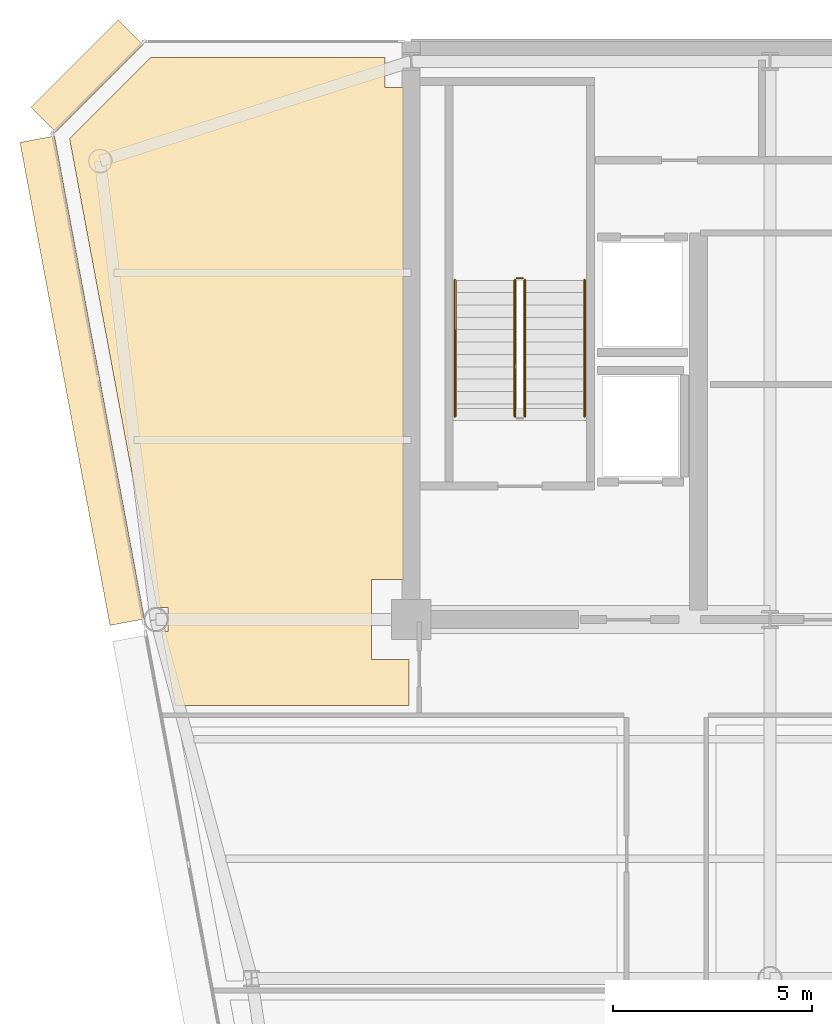
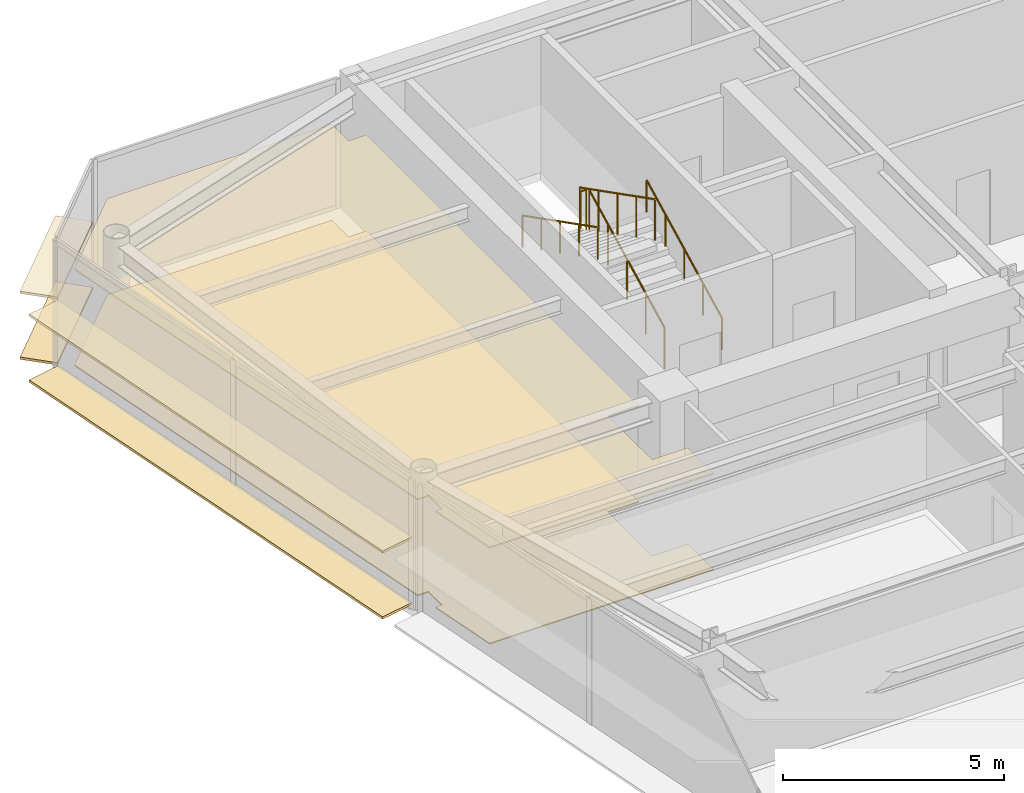
# One storey, part 17 of 19: 6 coverings, 5 railings.
"""IFC4 building model written with IfcOpenShell, lengths in metres."""

import ifcopenshell
import ifcopenshell.guid

model = None  # the IFC model being written
_history = None  # IfcOwnerHistory: only IFC2X3 demands one
_inside = {}  # id of a spatial element -> (the spatial element, [elements in it])
_under = {}  # id of a project, library or spatial element -> (it, [spatial elements below it])
_declared = {}  # id of a project -> (the project, [libraries it declares])
_typed = {}  # id of a type object -> (the type object, [elements of that type])
_made_of = {}  # id of a material, layer set ... -> (it, [elements and type objects made of it])


def new_model(schema):
    """Start an empty IFC model of exactly this schema.

    Asked for "IFC4X3", IfcOpenShell would pick the latest addendum, in which some entities
    have other attributes; the version numbers below select the first issue.
    IFC2X3 requires an IfcOwnerHistory on every rooted entity: one is made here for all.
    """
    global model, _history
    if schema == "IFC4X3":
        model = ifcopenshell.file(schema_version=(4, 3, 0, 0))
    else:
        model = ifcopenshell.file(schema=schema)
    _inside.clear()
    _under.clear()
    _declared.clear()
    _typed.clear()
    _made_of.clear()
    _history = None
    if model.schema == "IFC2X3":
        org = make("IfcOrganization", Name="unknown")
        user = make(
            "IfcPersonAndOrganization",
            ThePerson=make("IfcPerson", FamilyName="unknown"),
            TheOrganization=org,
        )
        app = make(
            "IfcApplication",
            ApplicationDeveloper=org,
            Version="unknown",
            ApplicationFullName="unknown",
            ApplicationIdentifier="unknown",
        )
        _history = make(
            "IfcOwnerHistory",
            OwningUser=user,
            OwningApplication=app,
            ChangeAction="ADDED",
            CreationDate=0,
        )
    return model


def make(cls, **values):
    """One entity of the class cls with the attributes given. An attribute that is None is left unset."""
    return model.create_entity(
        cls, **{name: value for name, value in values.items() if value is not None}
    )


def rooted(cls, **values):
    """An entity with a GlobalId (a new one), such as an element, a storey or a relation."""
    return make(cls, GlobalId=ifcopenshell.guid.new(), OwnerHistory=_history, **values)


def si_unit(unit_type, name, prefix=None):
    """IfcSIUnit, for example si_unit("LENGTHUNIT", "METRE", prefix="MILLI")."""
    return make("IfcSIUnit", UnitType=unit_type, Prefix=prefix, Name=name)


def assignment(units):
    """IfcUnitAssignment: the units of a project."""
    return None if units is None else make("IfcUnitAssignment", Units=units)


def point(xyz):
    """IfcCartesianPoint."""
    return None if xyz is None else make("IfcCartesianPoint", Coordinates=xyz)


def direction(xyz):
    """IfcDirection."""
    return None if xyz is None else make("IfcDirection", DirectionRatios=xyz)


def frame(location, z_axis=None, x_axis=None):
    """IfcAxis2Placement3D, a coordinate frame: its origin and axes. An axis left out is left unset."""
    return make(
        "IfcAxis2Placement3D",
        Location=point(location),
        Axis=direction(z_axis),
        RefDirection=direction(x_axis),
    )


def frame_2d(location, x_axis=None):
    """IfcAxis2Placement2D, a coordinate frame in the plane: its origin and x axis."""
    return make(
        "IfcAxis2Placement2D", Location=point(location), RefDirection=direction(x_axis)
    )


def origin():
    """The frame at (0, 0, 0) with its axes left unset."""
    return frame((0.0, 0.0, 0.0))


def origin_2d():
    """The frame at (0, 0) in the plane with its x axis left unset."""
    return frame_2d((0.0, 0.0))


def place(relative_to, where):
    """IfcLocalPlacement: puts the frame where relative to a parent placement (None: the world)."""
    return make(
        "IfcLocalPlacement", PlacementRelTo=relative_to, RelativePlacement=where
    )


def context(
    kind, dimensions, precision=None, world=None, true_north=None, identifier=None
):
    """IfcGeometricRepresentationContext, for example the 3D "Model" context."""
    return make(
        "IfcGeometricRepresentationContext",
        ContextIdentifier=identifier,
        ContextType=kind,
        CoordinateSpaceDimension=dimensions,
        Precision=precision,
        WorldCoordinateSystem=world,
        TrueNorth=true_north,
    )


def subcontext(parent, identifier, kind, view, scale=None):
    """IfcGeometricRepresentationSubContext, for example "Body" below "Model"."""
    return make(
        "IfcGeometricRepresentationSubContext",
        ContextIdentifier=identifier,
        ContextType=kind,
        ParentContext=parent,
        TargetScale=scale,
        TargetView=view,
    )


def project(units=None, contexts=None):
    """IfcProject with its units and contexts."""
    return rooted(
        "IfcProject",
        Name="project",
        RepresentationContexts=contexts,
        UnitsInContext=assignment(units),
    )


def spatial(cls, under=None, at=None, **own):
    """A site, building, storey or space (cls), placed at a placement, below another one or the project."""
    s = rooted(cls, ObjectPlacement=at, **own)
    if under is not None:
        _under.setdefault(under.id(), (under, []))[1].append(s)
    return s


def polyline(points):
    """IfcPolyline through the points."""
    return make("IfcPolyline", Points=[point(p) for p in points])


def profile(cls, at=None, kind="AREA", **sizes):
    """A parametric profile (cls). Its sizes go by their IFC names, for example OverallWidth=200.0."""
    return make(cls, ProfileType=kind, Position=at, **sizes)


def rectangle(**sizes):
    """IfcRectangleProfileDef."""
    return profile("IfcRectangleProfileDef", **sizes)


def circle(**sizes):
    """IfcCircleProfileDef."""
    return profile("IfcCircleProfileDef", **sizes)


def outline(outer, holes=None, kind="AREA"):
    """IfcArbitraryClosedProfileDef: a profile drawn as a closed curve; with holes, ...WithVoids."""
    if holes is None:
        return make("IfcArbitraryClosedProfileDef", ProfileType=kind, OuterCurve=outer)
    return make(
        "IfcArbitraryProfileDefWithVoids",
        ProfileType=kind,
        OuterCurve=outer,
        InnerCurves=holes,
    )


def extrude(swept, where, along, depth):
    """IfcExtrudedAreaSolid: the profile swept, set in the frame where, extruded along a direction by depth."""
    return make(
        "IfcExtrudedAreaSolid",
        SweptArea=swept,
        Position=where,
        ExtrudedDirection=direction(along),
        Depth=depth,
    )


def shape(context_of_items, identifier, shape_type, items):
    """IfcShapeRepresentation: the items that make up one representation, for example the "Body"."""
    return make(
        "IfcShapeRepresentation",
        ContextOfItems=context_of_items,
        RepresentationIdentifier=identifier,
        RepresentationType=shape_type,
        Items=items,
    )


def source(mapping_origin, context_of_items, identifier, shape_type, items):
    """IfcRepresentationMap: a shape defined once, which mapped items show again and again."""
    return make(
        "IfcRepresentationMap",
        MappingOrigin=mapping_origin,
        MappedRepresentation=shape(context_of_items, identifier, shape_type, items),
    )


def transform(
    local_origin,
    x_axis=None,
    y_axis=None,
    z_axis=None,
    scale=None,
    scale2=None,
    scale3=None,
    uniform=True,
):
    """IfcCartesianTransformationOperator3D, or its non-uniform kind. x_axis, y_axis, z_axis: its Axis1, 2, 3."""
    if uniform:
        return make(
            "IfcCartesianTransformationOperator3D",
            Axis1=direction(x_axis),
            Axis2=direction(y_axis),
            LocalOrigin=point(local_origin),
            Scale=scale,
            Axis3=direction(z_axis),
        )
    return make(
        "IfcCartesianTransformationOperator3DnonUniform",
        Axis1=direction(x_axis),
        Axis2=direction(y_axis),
        LocalOrigin=point(local_origin),
        Scale=scale,
        Axis3=direction(z_axis),
        Scale2=scale2,
        Scale3=scale3,
    )


def mapped(mapping_source, mapping_target):
    """IfcMappedItem: shows the shape of a source again, moved by a transform."""
    return make(
        "IfcMappedItem", MappingSource=mapping_source, MappingTarget=mapping_target
    )


def material(Name=None, Category=None):
    """IfcMaterial."""
    return make("IfcMaterial", Name=Name, Category=Category)


def layer(
    of_material, thickness, ventilated=None, Name=None, Category=None, Priority=None
):
    """IfcMaterialLayer: one layer of a wall or slab, of a material (None: an air gap)."""
    return make(
        "IfcMaterialLayer",
        Material=of_material,
        LayerThickness=thickness,
        IsVentilated=ventilated,
        Name=Name,
        Category=Category,
        Priority=Priority,
    )


def layer_set(layers, Name=None):
    """IfcMaterialLayerSet."""
    return make("IfcMaterialLayerSet", MaterialLayers=layers, LayerSetName=Name)


def made_of(thing, what):
    """Note that an element or type object is made of a material, layer set ...; save() writes the relation."""
    if what is not None:
        _made_of.setdefault(what.id(), (what, []))[1].append(thing)
    return thing


def type_object(cls, material=None, **own):
    """A type object (cls), such as IfcWallType, which elements share."""
    return made_of(rooted(cls, **own), material)


def element(
    cls,
    number,
    at=None,
    inside=None,
    cuts=None,
    type_object=None,
    material=None,
    context=None,
    identifier="Body",
    shape_type=None,
    held_by="IfcProductDefinitionShape",
    body=None,
    shapes=None,
    **own,
):
    """One element of the class cls, such as IfcWall. Its Tag is "e" and its number.

    at: its placement. inside: the storey or other place that contains it. cuts: it is an
    opening in that element (IfcRelVoidsElement). A single representation is given by context,
    identifier, shape_type and body (its items); several are given by shapes. held_by: the class
    of the entity that holds the representations. save() writes the other relations.
    """
    e = rooted(cls, Tag="e%d" % number, ObjectPlacement=at, **own)
    if body is not None:
        shapes = [shape(context, identifier, shape_type, body)]
    if shapes is not None:
        e.Representation = make(held_by, Representations=shapes)
    if inside is not None:
        _inside.setdefault(inside.id(), (inside, []))[1].append(e)
    if cuts is not None:
        rooted(
            "IfcRelVoidsElement", RelatingBuildingElement=cuts, RelatedOpeningElement=e
        )
    if type_object is not None:
        _typed.setdefault(type_object.id(), (type_object, []))[1].append(e)
    return made_of(e, material)


def aggregate(whole, parts):
    """IfcRelAggregates: a whole, such as a stair, and the parts it consists of."""
    return rooted("IfcRelAggregates", RelatingObject=whole, RelatedObjects=parts)


def save(model, path):
    """Write the relations noted so far, then the file.

    IfcRelAggregates (storeys below a building ...), IfcRelContainedInSpatialStructure (elements
    in a storey), IfcRelDefinesByType, IfcRelAssociatesMaterial and IfcRelDeclares: one each for
    every whole, place, type object, material and project.
    """
    for whole, parts in _under.values():
        aggregate(whole, parts)
    for where, things in _inside.values():
        rooted(
            "IfcRelContainedInSpatialStructure",
            RelatedElements=things,
            RelatingStructure=where,
        )
    for kind, things in _typed.values():
        rooted("IfcRelDefinesByType", RelatedObjects=things, RelatingType=kind)
    for what, things in _made_of.values():
        rooted("IfcRelAssociatesMaterial", RelatedObjects=things, RelatingMaterial=what)
    for by, libraries in _declared.values():
        rooted("IfcRelDeclares", RelatingContext=by, RelatedDefinitions=libraries)
    model.write(path)


model = new_model("IFC4")

# Units and contexts
model_context = context("Model", 3, precision=1e-05, world=origin(), true_north=direction((0.0, 1.0)))
body_context = subcontext(model_context, "Body", "Model", "MODEL_VIEW")
ifc_project = project(units=[si_unit("LENGTHUNIT", "METRE"), si_unit("AREAUNIT", "SQUARE_METRE"), si_unit("VOLUMEUNIT", "CUBIC_METRE"), si_unit("PLANEANGLEUNIT", "RADIAN"), si_unit("MASSUNIT", "GRAM", prefix="KILO")], contexts=[model_context])

# Site, building, storey
site_placement = place(None, origin())
site = spatial("IfcSite", under=ifc_project, at=site_placement, CompositionType="ELEMENT")
building_placement = place(site_placement, origin())
building = spatial("IfcBuilding", under=site, at=building_placement, Name="Vaeldorn Concourse Tower", CompositionType="ELEMENT")
storey_placement = place(building_placement, frame((0.0, 0.0, 249.800048828125)))
storey = spatial("IfcBuildingStorey", under=building, at=storey_placement, Name="L64", CompositionType="ELEMENT", Elevation=249.800048828125)

# Coverings
ifc_material_1 = material(Name="Acoustic Mineral Fibre Board", Category="gypsum")
ifc_layer_1 = layer(ifc_material_1, 0.0400390625)
ifc_layer_set_1 = layer_set([ifc_layer_1], Name="Acoustic Mineral Fibre Board")
covering_type_1 = type_object("IfcCoveringType", Name="COV-CEIL-ACOUSTIC", PredefinedType="CEILING", material=ifc_layer_set_1)
covering_1_placement = place(storey_placement, frame((0.0, 0.0, 2.64990234375)))
element("IfcCovering", 1, at=covering_1_placement, inside=storey, type_object=covering_type_1, Name="Suspended Acoustic Ceiling L64-4", PredefinedType="CEILING", context=body_context, shape_type="SweptSolid", body=[
    extrude(outline(polyline([(7.4658203125, 50.60009765625), (13.340087890625, 50.60009765625), (13.340087890625, 49.840087890625), (13.820068359375, 49.840087890625), (13.820068359375, 37.5), (13.0, 37.5), (13.0, 35.5), (13.93994140625, 35.5), (13.93994140625, 34.340087890625), (8.080810546875, 34.340087890625), (7.831298828125, 35.679931640625), (7.831298828125, 35.679931640625), (7.7353515625, 36.195068359375), (7.905029296875, 36.195068359375), (7.905029296875, 36.804931640625), (7.621826171875, 36.804931640625), (5.431884765625, 48.566162109375), (7.4658203125, 50.60009765625)])), origin(), (0.0, 0.0, 1.0), 0.0400390625),
])
ifc_material_2 = material(Name="Honed Limestone Terrazzo Flooring", Category="masonry")
ifc_layer_2 = layer(ifc_material_2, 0.0400390625)
ifc_layer_set_2 = layer_set([ifc_layer_2], Name="Honed Limestone Terrazzo Flooring")
covering_type_2 = type_object("IfcCoveringType", Name="COV-FLOOR-STONE", PredefinedType="FLOORING", material=ifc_layer_set_2)
covering_2_placement = place(storey_placement, origin())
element("IfcCovering", 2, at=covering_2_placement, inside=storey, type_object=covering_type_2, Name="Floor Finish Covering L64-4", PredefinedType="FLOORING", context=body_context, shape_type="SweptSolid", body=[
    extrude(outline(polyline([(7.4658203125, 50.60009765625), (13.340087890625, 50.60009765625), (13.340087890625, 49.840087890625), (13.820068359375, 49.840087890625), (13.820068359375, 37.5), (13.0, 37.5), (13.0, 35.5), (13.93994140625, 35.5), (13.93994140625, 34.340087890625), (8.080810546875, 34.340087890625), (7.831298828125, 35.679931640625), (7.831298828125, 35.679931640625), (7.7353515625, 36.195068359375), (7.905029296875, 36.195068359375), (7.905029296875, 36.804931640625), (7.621826171875, 36.804931640625), (5.431884765625, 48.566162109375), (7.4658203125, 50.60009765625)])), origin(), (0.0, 0.0, 1.0), 0.030029296875),
])

# Railings
ifc_material_3 = material(Name="Anodised Bronze Aluminium", Category="aluminium")
railing_type_1 = type_object("IfcRailingType", Name="RL-STAIR-GUARD", PredefinedType="GUARDRAIL", material=ifc_material_3)
railing_1_placement = place(storey_placement, frame((16.85009765625, 41.60009765625, 0.158203125)))
element("IfcRailing", 3, at=railing_1_placement, inside=storey, type_object=railing_type_1, Name="L64 ST-1 stair guard 1", PredefinedType="GUARDRAIL", context=body_context, shape_type="SweptSolid", body=[
    extrude(circle(Radius=0.02392578125, at=origin_2d()), frame((0.0, 0.0, 1.1259765625), z_axis=(0.0, 0.890555807335, 0.454873997962), x_axis=(-1.0, 0.0, 0.0)), (0.0, 0.0, 1.0), 3.828857421875),
    extrude(circle(Radius=0.02099609375, at=origin_2d()), origin(), (0.0, 0.0, 1.0), 1.101806640625),
    extrude(circle(Radius=0.02099609375, at=origin_2d()), frame((0.0, 0.8525390625, 0.435546875)), (0.0, 0.0, 1.0), 1.101806640625),
    extrude(circle(Radius=0.02099609375, at=origin_2d()), frame((0.0, 1.705078125, 0.870849609375)), (0.0, 0.0, 1.0), 1.101806640625),
    extrude(circle(Radius=0.02099609375, at=origin_2d()), frame((0.0, 2.557373046875, 1.30615234375)), (0.0, 0.0, 1.0), 1.101806640625),
    extrude(circle(Radius=0.02099609375, at=origin_2d()), frame((0.0, 3.409912109375, 1.74169921875)), (0.0, 0.0, 1.0), 1.101806640625),
])
railing_2_placement = place(storey_placement, frame((16.800048828125, 45.06005859375, 1.89990234375)))
element("IfcRailing", 4, at=railing_2_placement, inside=storey, type_object=railing_type_1, Name="L64 ST-1 stair guard 2", PredefinedType="GUARDRAIL", context=body_context, shape_type="SweptSolid", body=[
    extrude(circle(Radius=0.02392578125, at=origin_2d()), frame((0.0, 0.0, 1.1259765625), z_axis=(-1.0, 0.0, 0.0), x_axis=(0.0, -1.0, 0.0)), (0.0, 0.0, 1.0), 0.150146484375),
    extrude(circle(Radius=0.02099609375, at=origin_2d()), origin(), (0.0, 0.0, 1.0), 1.101806640625),
    extrude(circle(Radius=0.02099609375, at=origin_2d()), frame((-0.150146484375, 0.0, 0.0)), (0.0, 0.0, 1.0), 1.101806640625),
])
railing_3_placement = place(storey_placement, frame((16.60009765625, 45.010009765625, 2.058349609375)))
element("IfcRailing", 5, at=railing_3_placement, inside=storey, type_object=railing_type_1, Name="L64 ST-1 stair guard 3", PredefinedType="GUARDRAIL", context=body_context, shape_type="SweptSolid", body=[
    extrude(circle(Radius=0.02392578125, at=origin_2d()), frame((0.0, 0.0, 1.1259765625), z_axis=(0.0, -0.890555807335, 0.454873997962), x_axis=(1.0, 0.0, 0.0)), (0.0, 0.0, 1.0), 3.828857421875),
    extrude(circle(Radius=0.02099609375, at=origin_2d()), origin(), (0.0, 0.0, 1.0), 1.101806640625),
    extrude(circle(Radius=0.02099609375, at=origin_2d()), frame((0.0, -0.8525390625, 0.435546875)), (0.0, 0.0, 1.0), 1.101806640625),
    extrude(circle(Radius=0.02099609375, at=origin_2d()), frame((0.0, -1.705078125, 0.870849609375)), (0.0, 0.0, 1.0), 1.101806640625),
    extrude(circle(Radius=0.02099609375, at=origin_2d()), frame((0.0, -2.557373046875, 1.30615234375)), (0.0, 0.0, 1.0), 1.101806640625),
    extrude(circle(Radius=0.02099609375, at=origin_2d()), frame((0.0, -3.409912109375, 1.74169921875)), (0.0, 0.0, 1.0), 1.101806640625),
])
railing_type_2 = type_object("IfcRailingType", Name="RL-STAIR-HANDRAIL", PredefinedType="HANDRAIL", material=ifc_material_3)
railing_4_placement = place(storey_placement, frame((18.35009765625, 41.60009765625, 0.158203125)))
element("IfcRailing", 6, at=railing_4_placement, inside=storey, type_object=railing_type_2, Name="L64 ST-1 stair handrail 1", PredefinedType="HANDRAIL", context=body_context, shape_type="SweptSolid", body=[
    extrude(circle(Radius=0.02392578125, at=origin_2d()), frame((0.0, 0.0, 0.8759765625), z_axis=(0.0, 0.890555807335, 0.454873997962), x_axis=(-1.0, 0.0, 0.0)), (0.0, 0.0, 1.0), 3.828857421875),
    extrude(circle(Radius=0.02099609375, at=origin_2d()), origin(), (0.0, 0.0, 1.0), 0.851806640625),
    extrude(circle(Radius=0.02099609375, at=origin_2d()), frame((0.0, 0.8525390625, 0.435546875)), (0.0, 0.0, 1.0), 0.851806640625),
    extrude(circle(Radius=0.02099609375, at=origin_2d()), frame((0.0, 1.705078125, 0.870849609375)), (0.0, 0.0, 1.0), 0.851806640625),
    extrude(circle(Radius=0.02099609375, at=origin_2d()), frame((0.0, 2.557373046875, 1.30615234375)), (0.0, 0.0, 1.0), 0.851806640625),
    extrude(circle(Radius=0.02099609375, at=origin_2d()), frame((0.0, 3.409912109375, 1.74169921875)), (0.0, 0.0, 1.0), 0.851806640625),
])
railing_5_placement = place(storey_placement, frame((15.10009765625, 45.010009765625, 2.058349609375)))
element("IfcRailing", 7, at=railing_5_placement, inside=storey, type_object=railing_type_2, Name="L64 ST-1 stair handrail 2", PredefinedType="HANDRAIL", context=body_context, shape_type="SweptSolid", body=[
    extrude(circle(Radius=0.02392578125, at=origin_2d()), frame((0.0, 0.0, 0.8759765625), z_axis=(0.0, -0.890555807335, 0.454873997962), x_axis=(1.0, 0.0, 0.0)), (0.0, 0.0, 1.0), 3.828857421875),
    extrude(circle(Radius=0.02099609375, at=origin_2d()), origin(), (0.0, 0.0, 1.0), 0.851806640625),
    extrude(circle(Radius=0.02099609375, at=origin_2d()), frame((0.0, -0.8525390625, 0.435546875)), (0.0, 0.0, 1.0), 0.851806640625),
    extrude(circle(Radius=0.02099609375, at=origin_2d()), frame((0.0, -1.705078125, 0.870849609375)), (0.0, 0.0, 1.0), 0.851806640625),
    extrude(circle(Radius=0.02099609375, at=origin_2d()), frame((0.0, -2.557373046875, 1.30615234375)), (0.0, 0.0, 1.0), 0.851806640625),
    extrude(circle(Radius=0.02099609375, at=origin_2d()), frame((0.0, -3.409912109375, 1.74169921875)), (0.0, 0.0, 1.0), 0.851806640625),
])

# Coverings
ifc_layer_3 = layer(ifc_material_3, 0.06494140625)
ifc_layer_set_3 = layer_set([ifc_layer_3], Name="Anodised Bronze Aluminium")
covering_type_3 = type_object("IfcCoveringType", Name="SD-BRONZE-SUNSHADE", PredefinedType="USERDEFINED", material=ifc_layer_set_3)
shared_shape_1 = source(origin(), body_context, "Body", "SweptSolid", [
    extrude(rectangle(XDim=3.0927734375, YDim=0.8798828125, at=origin_2d()), origin(), (0.0, 0.0, 1.0), 0.06494140625),
])
for number, where, z_axis, x_axis, name in (
    (8, (5.8671875, 50.1328125, 0.04736328125), (0.0, 0.0, 1.0), (-0.707106781187, -0.707106781187, 0.0), "Horizontal Bronze Sunshade L64-E10.1.1"),
    (9, (5.8671875, 50.1328125, 1.867431640625), (0.0, 0.0, 1.0), (-0.707106781187, -0.707106781187, 0.0), "Horizontal Bronze Sunshade L64-E10.1.2"),
):
    element("IfcCovering", number, at=place(storey_placement, frame(where, z_axis=z_axis, x_axis=x_axis)), inside=storey, type_object=covering_type_3, Name=name, ObjectType="SUNSHADE", PredefinedType="USERDEFINED", context=body_context, shape_type="MappedRepresentation", body=[
        mapped(shared_shape_1, transform((0.0, 0.0, 0.0), scale=1.0)),
    ])
shared_shape_2 = source(origin(), body_context, "Body", "SweptSolid", [
    extrude(rectangle(XDim=12.322509765625, YDim=0.8798828125, at=origin_2d()), origin(), (0.0, 0.0, 1.0), 0.06494140625),
])
for number, where, z_axis, x_axis, name in (
    (10, (5.749267578125, 42.490966796875, 0.04736328125), (0.0, 0.0, 1.0), (0.183059191151, -0.983101893262, 0.0), "Horizontal Bronze Sunshade L64-E11.1.1"),
    (11, (5.749267578125, 42.490966796875, 1.867431640625), (0.0, 0.0, 1.0), (0.183059191151, -0.983101893262, 0.0), "Horizontal Bronze Sunshade L64-E11.1.2"),
):
    element("IfcCovering", number, at=place(storey_placement, frame(where, z_axis=z_axis, x_axis=x_axis)), inside=storey, type_object=covering_type_3, Name=name, ObjectType="SUNSHADE", PredefinedType="USERDEFINED", context=body_context, shape_type="MappedRepresentation", body=[
        mapped(shared_shape_2, transform((0.0, 0.0, 0.0), scale=1.0)),
    ])

save(model, "model.ifc")
